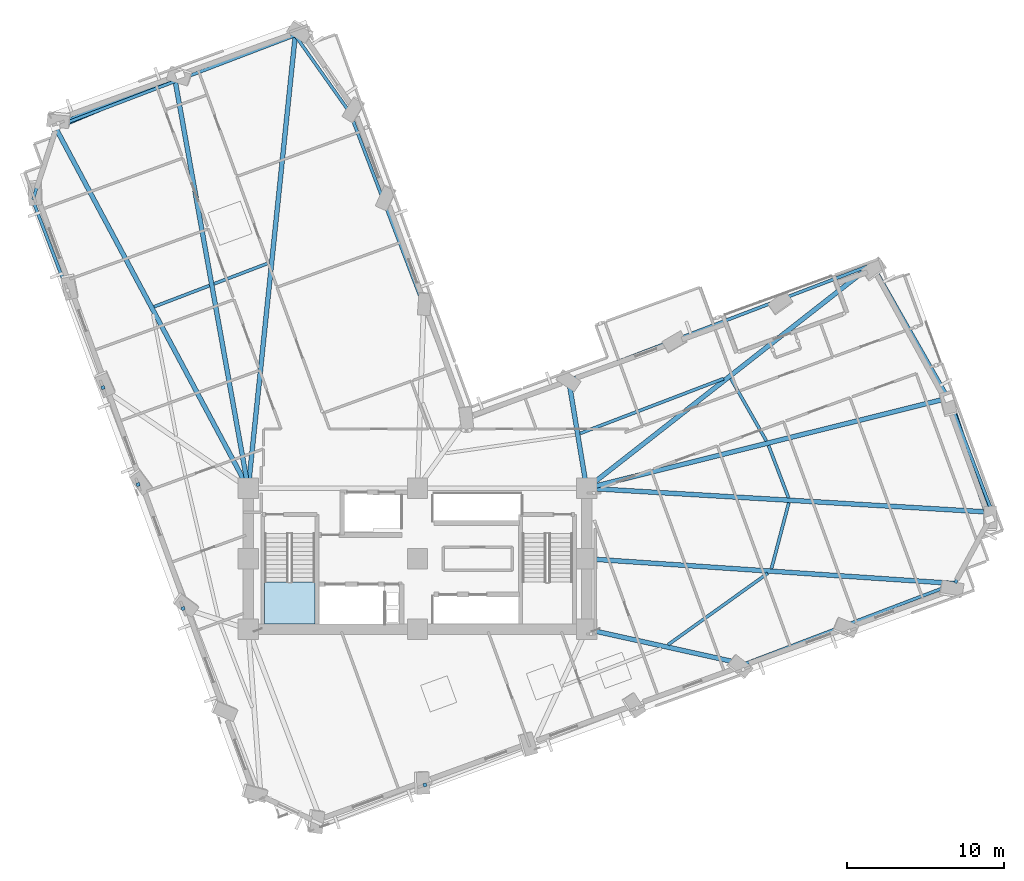
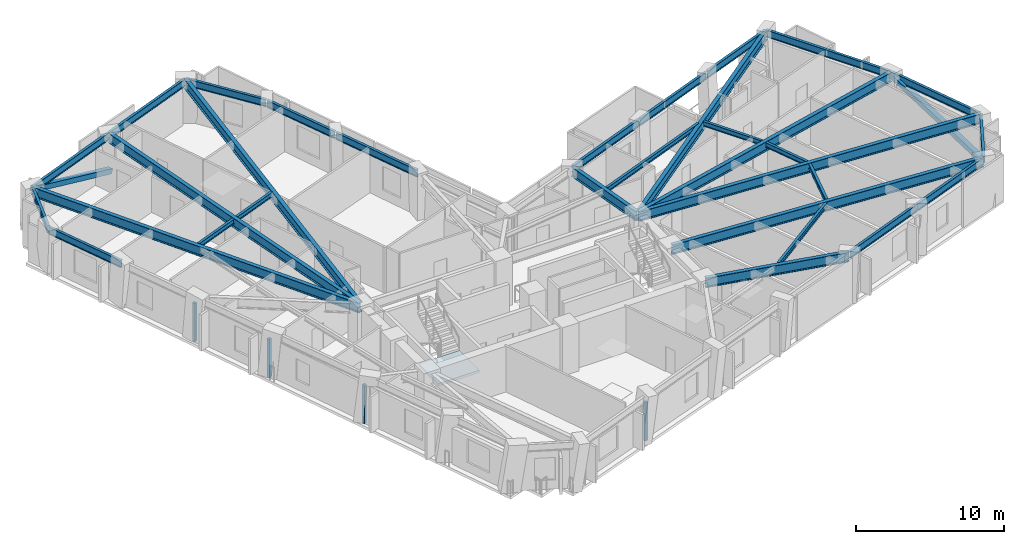
# One storey, part 2 of 17: 31 beams, 4 plates, 2 members, 1 slab, 1 element without a shape of its own.
"""IFC4 building model written with IfcOpenShell, lengths in metres."""

from ifc_helpers import new_model, si_unit, direction, frame, origin, origin_2d, place, context, subcontext, project, spatial, polyline, rectangle, hollow_rectangle, i_section, outline, extrude, material, layer, layer_set, material_profile, profile_set, type_object, element, aggregate, save


model = new_model("IFC4")

# Units and contexts
model_context = context("Model", 3, precision=1e-05, world=origin(), true_north=direction((0.0, 1.0)))
body_context = subcontext(model_context, "Body", "Model", "MODEL_VIEW")
ifc_project = project(units=[si_unit("LENGTHUNIT", "METRE"), si_unit("AREAUNIT", "SQUARE_METRE"), si_unit("VOLUMEUNIT", "CUBIC_METRE"), si_unit("PLANEANGLEUNIT", "RADIAN"), si_unit("MASSUNIT", "GRAM", prefix="KILO")], contexts=[model_context])

# Site, building, storey
site_placement = place(None, origin())
site = spatial("IfcSite", under=ifc_project, at=site_placement, CompositionType="ELEMENT")
building_placement = place(site_placement, origin())
building = spatial("IfcBuilding", under=site, at=building_placement, Name="Gaonmaruhae Medical Tower", CompositionType="ELEMENT")
storey_placement = place(building_placement, frame((0.0, 0.0, 108.39990234375)))
storey = spatial("IfcBuildingStorey", under=building, at=storey_placement, Name="L25", CompositionType="ELEMENT", Elevation=108.39990234375)

# Beams
ifc_material_1 = material(Name="Steel SM355", Category="steel")
ifc_material_profile_1 = material_profile(ifc_material_1, i_section(OverallWidth=0.199951171875, OverallDepth=0.39990234375, WebThickness=0.008056640625, FlangeThickness=0.012939453125, FilletRadius=0.012939453125, at=origin_2d()), Name="H-400x200x8x13")
ifc_profile_set_1 = profile_set([ifc_material_profile_1], Name="Steel SM355")
beam_type_1 = type_object("IfcBeamType", Name="FJ-01 Lower Zone Ward Floor Joist (H-400x200x8x13)", PredefinedType="JOIST", material=ifc_profile_set_1)
beam_1_placement = place(storey_placement, frame((40.792724609375, 6.812744140625, 3.580078125), z_axis=(0.81293579152, 0.5823533282, 0.0), x_axis=(-0.5823533282, 0.81293579152, 0.0)))
element("IfcBeam", 1, at=beam_1_placement, inside=storey, type_object=beam_type_1, Name="L25 Secondary Floor Joist FJ03", PredefinedType="JOIST", context=body_context, shape_type="SweptSolid", body=[
    extrude(i_section(OverallWidth=0.199951171875, OverallDepth=0.39990234375, WebThickness=0.008056640625, FlangeThickness=0.012939453125, FilletRadius=0.012939453125, at=origin_2d()), origin(), (0.0, 0.0, 1.0), 7.824462890625),
])
beam_2_placement = place(storey_placement, frame((47.390625, 11.663818359375, 3.580078125), z_axis=(0.254752293524, 0.967006343797, 0.0), x_axis=(-0.967006343797, 0.254752293524, 0.0)))
element("IfcBeam", 2, at=beam_2_placement, inside=storey, type_object=beam_type_1, Name="L25 Secondary Floor Joist FJ04", PredefinedType="JOIST", context=body_context, shape_type="SweptSolid", body=[
    extrude(i_section(OverallWidth=0.199951171875, OverallDepth=0.39990234375, WebThickness=0.008056640625, FlangeThickness=0.012939453125, FilletRadius=0.012939453125, at=origin_2d()), origin(), (0.0, 0.0, 1.0), 4.361328125),
])
beam_3_placement = place(storey_placement, frame((48.481201171875, 16.194580078125, 3.580078125), z_axis=(-0.356756875325, 0.934197266057, 0.0), x_axis=(-0.934197266057, -0.356756875325, 0.0)))
element("IfcBeam", 3, at=beam_3_placement, inside=storey, type_object=beam_type_1, Name="L25 Secondary Floor Joist FJ05", PredefinedType="JOIST", context=body_context, shape_type="SweptSolid", body=[
    extrude(i_section(OverallWidth=0.199951171875, OverallDepth=0.39990234375, WebThickness=0.008056640625, FlangeThickness=0.012939453125, FilletRadius=0.012939453125, at=origin_2d()), origin(), (0.0, 0.0, 1.0), 3.572265625),
])
beam_4_placement = place(storey_placement, frame((47.07080078125, 19.819091796875, 3.580078125), z_axis=(-0.495330752004, 0.868704464199, 0.0), x_axis=(-0.868704464199, -0.495330752004, 0.0)))
element("IfcBeam", 4, at=beam_4_placement, inside=storey, type_object=beam_type_1, Name="L25 Secondary Floor Joist FJ06", PredefinedType="JOIST", context=body_context, shape_type="SweptSolid", body=[
    extrude(i_section(OverallWidth=0.199951171875, OverallDepth=0.39990234375, WebThickness=0.008056640625, FlangeThickness=0.012939453125, FilletRadius=0.012939453125, at=origin_2d()), origin(), (0.0, 0.0, 1.0), 4.58837890625),
])
beam_5_placement = place(storey_placement, frame((44.345703125, 23.799072265625, 3.580078125), z_axis=(-0.934196230807, -0.356759586199, 0.0), x_axis=(0.356759586199, -0.934196230807, 0.0)))
element("IfcBeam", 5, at=beam_5_placement, inside=storey, type_object=beam_type_1, Name="L25 Secondary Floor Joist FJ07", PredefinedType="JOIST", context=body_context, shape_type="SweptSolid", body=[
    extrude(i_section(OverallWidth=0.199951171875, OverallDepth=0.39990234375, WebThickness=0.008056640625, FlangeThickness=0.012939453125, FilletRadius=0.012939453125, at=origin_2d()), origin(), (0.0, 0.0, 1.0), 9.8154296875),
])
beam_6_placement = place(storey_placement, frame((15.337646484375, 31.189697265625, 3.580078125), z_axis=(-0.934216422834, -0.356706707685, 0.0), x_axis=(0.356706707685, -0.934216422834, 0.0)))
element("IfcBeam", 6, at=beam_6_placement, inside=storey, type_object=beam_type_1, Name="L25 Secondary Floor Joist FJ11", PredefinedType="JOIST", context=body_context, shape_type="SweptSolid", body=[
    extrude(i_section(OverallWidth=0.199951171875, OverallDepth=0.39990234375, WebThickness=0.008056640625, FlangeThickness=0.012939453125, FilletRadius=0.012939453125, at=origin_2d()), origin(), (0.0, 0.0, 1.0), 3.76708984375),
])
beam_7_placement = place(storey_placement, frame((11.521728515625, 29.732666015625, 3.580078125), z_axis=(-0.934204312133, -0.356738424048, 0.0), x_axis=(0.356738424048, -0.934204312133, 0.0)))
element("IfcBeam", 7, at=beam_7_placement, inside=storey, type_object=beam_type_1, Name="L25 Secondary Floor Joist FJ12", PredefinedType="JOIST", context=body_context, shape_type="SweptSolid", body=[
    extrude(i_section(OverallWidth=0.199951171875, OverallDepth=0.39990234375, WebThickness=0.008056640625, FlangeThickness=0.012939453125, FilletRadius=0.012939453125, at=origin_2d()), origin(), (0.0, 0.0, 1.0), 3.783935546875),
])

# Members
ifc_material_2 = material(Name="Steel SM420", Category="steel")
ifc_material_profile_2 = material_profile(ifc_material_2, hollow_rectangle(XDim=0.39990234375, YDim=0.39990234375, WallThickness=0.01611328125, at=origin_2d()), Name="RHS-400x400x16")
ifc_profile_set_2 = profile_set([ifc_material_profile_2], Name="Steel SM420")
member_type = type_object("IfcMemberType", Name="PB-01 Perimeter Solid-Bay Tube Brace Lower (RHS-400x400x16)", PredefinedType="BRACE", material=ifc_profile_set_2)
member_1_placement = place(storey_placement, frame((61.322509765625, 14.809326171875, 0.25), z_axis=(-0.29740953933, 0.879207427167, 0.372212124909), x_axis=(-0.947271039765, -0.320433420888, 0.0)))
element("IfcMember", 8, at=member_1_placement, inside=storey, type_object=member_type, Name="L25 Perimeter Tube Solid-Bay Brace E01-E02", PredefinedType="BRACE", context=body_context, shape_type="SweptSolid", body=[
    extrude(hollow_rectangle(XDim=0.39990234375, YDim=0.39990234375, WallThickness=0.01611328125, at=origin_2d()), origin(), (0.0, 0.0, 1.0), 8.812255859375),
])
member_2_placement = place(storey_placement, frame((9.6416015625, 43.17822265625, 0.25), z_axis=(-0.862546422589, -0.360205437546, 0.355338868744), x_axis=(0.385354624241, -0.922768559053, 0.0)))
element("IfcMember", 9, at=member_2_placement, inside=storey, type_object=member_type, Name="L25 Perimeter Tube Solid-Bay Brace N02-N03", PredefinedType="BRACE", context=body_context, shape_type="SweptSolid", body=[
    extrude(hollow_rectangle(XDim=0.39990234375, YDim=0.39990234375, WallThickness=0.01611328125, at=origin_2d()), origin(), (0.0, 0.0, 1.0), 9.230712890625),
])

# Beams
ifc_material_profile_3 = material_profile(ifc_material_2, i_section(OverallWidth=0.300048828125, OverallDepth=0.800048828125, WebThickness=0.013916015625, FlangeThickness=0.02587890625, FilletRadius=0.01806640625, at=origin_2d()), Name="H-800x300x14x26")
ifc_profile_set_3 = profile_set([ifc_material_profile_3], Name="Steel SM420")
beam_type_2 = type_object("IfcBeamType", Name="PG-02 Zone 2 Radial Floor Girder (H-800x300x14x26)", PredefinedType="BEAM", material=ifc_profile_set_3)
beam_8_placement = place(storey_placement, frame((35.64892578125, 7.789306640625, 3.380126953125), z_axis=(0.976525255826, -0.215402935761, 0.0), x_axis=(0.215402935761, 0.976525255826, 0.0)))
element("IfcBeam", 10, at=beam_8_placement, inside=storey, type_object=beam_type_2, Name="L25 Radial Primary Girder S05", PredefinedType="BEAM", context=body_context, shape_type="SweptSolid", body=[
    extrude(i_section(OverallWidth=0.300048828125, OverallDepth=0.800048828125, WebThickness=0.013916015625, FlangeThickness=0.02587890625, FilletRadius=0.01806640625, at=origin_2d()), origin(), (0.0, 0.0, 1.0), 10.189453125),
])
beam_9_placement = place(storey_placement, frame((35.64990234375, 12.296630859375, 3.380126953125), z_axis=(0.99774903898, -0.067058595386, 0.0), x_axis=(0.067058595386, 0.99774903898, 0.0)))
element("IfcBeam", 11, at=beam_9_placement, inside=storey, type_object=beam_type_2, Name="L25 Radial Primary Girder S07", PredefinedType="BEAM", context=body_context, shape_type="SweptSolid", body=[
    extrude(i_section(OverallWidth=0.300048828125, OverallDepth=0.800048828125, WebThickness=0.013916015625, FlangeThickness=0.02587890625, FilletRadius=0.01806640625, at=origin_2d()), origin(), (0.0, 0.0, 1.0), 23.453369140625),
])
beam_10_placement = place(storey_placement, frame((35.64990234375, 16.797119140625, 3.380126953125), z_axis=(0.998258005369, -0.058999616236, 0.0), x_axis=(0.058999616236, 0.998258005369, 0.0)))
element("IfcBeam", 12, at=beam_10_placement, inside=storey, type_object=beam_type_2, Name="L25 Radial Primary Girder E01", PredefinedType="BEAM", context=body_context, shape_type="SweptSolid", body=[
    extrude(i_section(OverallWidth=0.300048828125, OverallDepth=0.800048828125, WebThickness=0.013916015625, FlangeThickness=0.02587890625, FilletRadius=0.01806640625, at=origin_2d()), origin(), (0.0, 0.0, 1.0), 25.829345703125),
])
beam_11_placement = place(storey_placement, frame((35.6484375, 16.81201171875, 3.380126953125), z_axis=(0.970320932127, 0.241820778006, 0.0), x_axis=(-0.241820778006, 0.970320932127, 0.0)))
element("IfcBeam", 13, at=beam_11_placement, inside=storey, type_object=beam_type_2, Name="L25 Radial Primary Girder E02", PredefinedType="BEAM", context=body_context, shape_type="SweptSolid", body=[
    extrude(i_section(OverallWidth=0.300048828125, OverallDepth=0.800048828125, WebThickness=0.013916015625, FlangeThickness=0.02587890625, FilletRadius=0.01806640625, at=origin_2d()), origin(), (0.0, 0.0, 1.0), 23.708251953125),
])
beam_12_placement = place(storey_placement, frame((35.639404296875, 16.830810546875, 3.360107421875), z_axis=(0.787313336477, 0.616553087906, 0.0), x_axis=(-0.616553087906, 0.787313336477, 0.0)))
element("IfcBeam", 14, at=beam_12_placement, inside=storey, type_object=beam_type_2, Name="L25 Radial Primary Girder E03", PredefinedType="BEAM", context=body_context, shape_type="SweptSolid", body=[
    extrude(i_section(OverallWidth=0.300048828125, OverallDepth=0.800048828125, WebThickness=0.013916015625, FlangeThickness=0.02587890625, FilletRadius=0.01806640625, at=origin_2d()), origin(), (0.0, 0.0, 1.0), 23.067138671875),
])
beam_13_placement = place(storey_placement, frame((35.591796875, 16.849365234375, 3.380126953125), z_axis=(-0.164111089681, 0.98644186359, 0.0), x_axis=(-0.98644186359, -0.164111089681, 0.0)))
element("IfcBeam", 15, at=beam_13_placement, inside=storey, type_object=beam_type_2, Name="L25 Radial Primary Girder EN03", PredefinedType="BEAM", context=body_context, shape_type="SweptSolid", body=[
    extrude(i_section(OverallWidth=0.300048828125, OverallDepth=0.800048828125, WebThickness=0.013916015625, FlangeThickness=0.02587890625, FilletRadius=0.01806640625, at=origin_2d()), origin(), (0.0, 0.0, 1.0), 6.8759765625),
])
beam_14_placement = place(storey_placement, frame((14.005126953125, 16.849853515625, 3.380126953125), z_axis=(0.103265873252, 0.994653788723, 0.0), x_axis=(-0.994653788723, 0.103265873252, 0.0)))
element("IfcBeam", 16, at=beam_14_placement, inside=storey, type_object=beam_type_2, Name="L25 Radial Primary Girder N01", PredefinedType="BEAM", context=body_context, shape_type="SweptSolid", body=[
    extrude(i_section(OverallWidth=0.300048828125, OverallDepth=0.800048828125, WebThickness=0.013916015625, FlangeThickness=0.02587890625, FilletRadius=0.01806640625, at=origin_2d()), origin(), (0.0, 0.0, 1.0), 28.958984375),
])
beam_15_placement = place(storey_placement, frame((13.9912109375, 16.84912109375, 3.380126953125), z_axis=(-0.176551271484, 0.984291444917, 0.0), x_axis=(-0.984291444917, -0.176551271484, 0.0)))
element("IfcBeam", 17, at=beam_15_placement, inside=storey, type_object=beam_type_2, Name="L25 Radial Primary Girder N02", PredefinedType="BEAM", context=body_context, shape_type="SweptSolid", body=[
    extrude(i_section(OverallWidth=0.300048828125, OverallDepth=0.800048828125, WebThickness=0.013916015625, FlangeThickness=0.02587890625, FilletRadius=0.01806640625, at=origin_2d()), origin(), (0.0, 0.0, 1.0), 26.293212890625),
])
beam_16_placement = place(storey_placement, frame((13.976318359375, 16.843994140625, 3.380126953125), z_axis=(-0.471332634214, 0.881955524913, 0.0), x_axis=(-0.881955524913, -0.471332634214, 0.0)))
element("IfcBeam", 18, at=beam_16_placement, inside=storey, type_object=beam_type_2, Name="L25 Radial Primary Girder N03", PredefinedType="BEAM", context=body_context, shape_type="SweptSolid", body=[
    extrude(i_section(OverallWidth=0.300048828125, OverallDepth=0.800048828125, WebThickness=0.013916015625, FlangeThickness=0.02587890625, FilletRadius=0.01806640625, at=origin_2d()), origin(), (0.0, 0.0, 1.0), 26.038818359375),
])
ifc_material_profile_4 = material_profile(ifc_material_1, i_section(OverallWidth=0.199951171875, OverallDepth=0.60009765625, WebThickness=0.010986328125, FlangeThickness=0.01708984375, FilletRadius=0.012939453125, at=origin_2d()), Name="H-600x200x11x17")
ifc_profile_set_4 = profile_set([ifc_material_profile_4], Name="Steel SM355")
beam_type_3 = type_object("IfcBeamType", Name="SP-01 Lower Perimeter Spandrel Beam (H-600x200x11x17)", PredefinedType="SPANDREL", material=ifc_profile_set_4)
beam_17_placement = place(storey_placement, frame((45.685302734375, 5.597900390625, 3.47998046875), z_axis=(0.934202803892, 0.356742373709, 0.0), x_axis=(-0.356742373709, 0.934202803892, 0.0)))
element("IfcBeam", 19, at=beam_17_placement, inside=storey, type_object=beam_type_3, Name="L25 Perimeter Spandrel Beam S05-S06", PredefinedType="SPANDREL", context=body_context, shape_type="SweptSolid", body=[
    extrude(i_section(OverallWidth=0.199951171875, OverallDepth=0.60009765625, WebThickness=0.010986328125, FlangeThickness=0.01708984375, FilletRadius=0.012939453125, at=origin_2d()), origin(), (0.0, 0.0, 1.0), 7.1201171875),
])
beam_18_placement = place(storey_placement, frame((52.41162109375, 8.166259765625, 3.47998046875), z_axis=(0.934198439894, 0.356753801522, 0.0), x_axis=(-0.356753801522, 0.934198439894, 0.0)))
element("IfcBeam", 20, at=beam_18_placement, inside=storey, type_object=beam_type_3, Name="L25 Perimeter Spandrel Beam S06-S07", PredefinedType="SPANDREL", context=body_context, shape_type="SweptSolid", body=[
    extrude(i_section(OverallWidth=0.199951171875, OverallDepth=0.60009765625, WebThickness=0.010986328125, FlangeThickness=0.01708984375, FilletRadius=0.012939453125, at=origin_2d()), origin(), (0.0, 0.0, 1.0), 7.119873046875),
])
beam_19_placement = place(storey_placement, frame((59.119140625, 10.756103515625, 3.47998046875), z_axis=(0.464071946872, 0.885797509663, 0.0), x_axis=(-0.885797509663, 0.464071946872, 0.0)))
element("IfcBeam", 21, at=beam_19_placement, inside=storey, type_object=beam_type_3, Name="L25 Perimeter Spandrel Beam S07-E01", PredefinedType="SPANDREL", context=body_context, shape_type="SweptSolid", body=[
    extrude(i_section(OverallWidth=0.199951171875, OverallDepth=0.60009765625, WebThickness=0.010986328125, FlangeThickness=0.01708984375, FilletRadius=0.012939453125, at=origin_2d()), origin(), (0.0, 0.0, 1.0), 5.05615234375),
])
beam_20_placement = place(storey_placement, frame((61.469970703125, 15.3076171875, 3.47998046875), z_axis=(-0.3567211368, 0.934210913317, 0.0), x_axis=(-0.934210913317, -0.3567211368, 0.0)))
element("IfcBeam", 22, at=beam_20_placement, inside=storey, type_object=beam_type_3, Name="L25 Perimeter Spandrel Beam E01-E02", PredefinedType="SPANDREL", context=body_context, shape_type="SweptSolid", body=[
    extrude(i_section(OverallWidth=0.199951171875, OverallDepth=0.60009765625, WebThickness=0.010986328125, FlangeThickness=0.01708984375, FilletRadius=0.012939453125, at=origin_2d()), origin(), (0.0, 0.0, 1.0), 7.719970703125),
])
beam_21_placement = place(storey_placement, frame((58.681884765625, 22.591796875, 3.47998046875), z_axis=(-0.495309604884, 0.868716521836, 0.0), x_axis=(-0.868716521836, -0.495309604884, 0.0)))
element("IfcBeam", 23, at=beam_21_placement, inside=storey, type_object=beam_type_3, Name="L25 Perimeter Spandrel Beam E02-E03", PredefinedType="SPANDREL", context=body_context, shape_type="SweptSolid", body=[
    extrude(i_section(OverallWidth=0.199951171875, OverallDepth=0.60009765625, WebThickness=0.010986328125, FlangeThickness=0.01708984375, FilletRadius=0.012939453125, at=origin_2d()), origin(), (0.0, 0.0, 1.0), 9.7353515625),
])
beam_22_placement = place(storey_placement, frame((53.802734375, 31.069580078125, 3.460205078125), z_axis=(-0.934199983203, -0.356749760174, 0.0), x_axis=(0.356749760174, -0.934199983203, 0.0)))
element("IfcBeam", 24, at=beam_22_placement, inside=storey, type_object=beam_type_3, Name="L25 Perimeter Spandrel Beam E03-EN01", PredefinedType="SPANDREL", context=body_context, shape_type="SweptSolid", body=[
    extrude(i_section(OverallWidth=0.199951171875, OverallDepth=0.60009765625, WebThickness=0.010986328125, FlangeThickness=0.01708984375, FilletRadius=0.012939453125, at=origin_2d()), origin(), (0.0, 0.0, 1.0), 6.27001953125),
])
beam_23_placement = place(storey_placement, frame((47.870361328125, 28.80419921875, 3.460205078125), z_axis=(-0.934209867706, -0.356723875119, 0.0), x_axis=(0.356723875119, -0.934209867706, 0.0)))
element("IfcBeam", 25, at=beam_23_placement, inside=storey, type_object=beam_type_3, Name="L25 Perimeter Spandrel Beam EN01-EN02", PredefinedType="SPANDREL", context=body_context, shape_type="SweptSolid", body=[
    extrude(i_section(OverallWidth=0.199951171875, OverallDepth=0.60009765625, WebThickness=0.010986328125, FlangeThickness=0.01708984375, FilletRadius=0.012939453125, at=origin_2d()), origin(), (0.0, 0.0, 1.0), 7.119873046875),
])
beam_24_placement = place(storey_placement, frame((41.144287109375, 26.23583984375, 3.47998046875), z_axis=(-0.934202803892, -0.356742373709, 0.0), x_axis=(0.356742373709, -0.934202803892, 0.0)))
element("IfcBeam", 26, at=beam_24_placement, inside=storey, type_object=beam_type_3, Name="L25 Perimeter Spandrel Beam EN02-EN03", PredefinedType="SPANDREL", context=body_context, shape_type="SweptSolid", body=[
    extrude(i_section(OverallWidth=0.199951171875, OverallDepth=0.60009765625, WebThickness=0.010986328125, FlangeThickness=0.01708984375, FilletRadius=0.012939453125, at=origin_2d()), origin(), (0.0, 0.0, 1.0), 7.1201171875),
])
beam_25_placement = place(storey_placement, frame((25.18359375, 28.479736328125, 3.47998046875), z_axis=(-0.356753801522, 0.934198439894, 0.0), x_axis=(-0.934198439894, -0.356753801522, 0.0)))
element("IfcBeam", 27, at=beam_25_placement, inside=storey, type_object=beam_type_3, Name="L25 Perimeter Spandrel Beam NE01-NE02", PredefinedType="SPANDREL", context=body_context, shape_type="SweptSolid", body=[
    extrude(i_section(OverallWidth=0.199951171875, OverallDepth=0.60009765625, WebThickness=0.010986328125, FlangeThickness=0.01708984375, FilletRadius=0.012939453125, at=origin_2d()), origin(), (0.0, 0.0, 1.0), 7.119873046875),
])
beam_26_placement = place(storey_placement, frame((22.614990234375, 35.205810546875, 3.47998046875), z_axis=(-0.356725778827, 0.934209140782, 0.0), x_axis=(-0.934209140782, -0.356725778827, 0.0)))
element("IfcBeam", 28, at=beam_26_placement, inside=storey, type_object=beam_type_3, Name="L25 Perimeter Spandrel Beam NE02-NE03", PredefinedType="SPANDREL", context=body_context, shape_type="SweptSolid", body=[
    extrude(i_section(OverallWidth=0.199951171875, OverallDepth=0.60009765625, WebThickness=0.010986328125, FlangeThickness=0.01708984375, FilletRadius=0.012939453125, at=origin_2d()), origin(), (0.0, 0.0, 1.0), 5.919921875),
])
beam_27_placement = place(storey_placement, frame((20.4658203125, 40.806396484375, 3.47998046875), z_axis=(-0.577601243921, 0.816319057122, 0.0), x_axis=(-0.816319057122, -0.577601243921, 0.0)))
element("IfcBeam", 29, at=beam_27_placement, inside=storey, type_object=beam_type_3, Name="L25 Perimeter Spandrel Beam NE03-N01", PredefinedType="SPANDREL", context=body_context, shape_type="SweptSolid", body=[
    extrude(i_section(OverallWidth=0.199951171875, OverallDepth=0.60009765625, WebThickness=0.010986328125, FlangeThickness=0.01708984375, FilletRadius=0.012939453125, at=origin_2d()), origin(), (0.0, 0.0, 1.0), 5.95947265625),
])
beam_28_placement = place(storey_placement, frame((16.96337890625, 45.689453125, 3.47998046875), z_axis=(-0.93420690931, -0.356731622649, 0.0), x_axis=(0.356731622649, -0.93420690931, 0.0)))
element("IfcBeam", 30, at=beam_28_placement, inside=storey, type_object=beam_type_3, Name="L25 Perimeter Spandrel Beam N01-N02", PredefinedType="SPANDREL", context=body_context, shape_type="SweptSolid", body=[
    extrude(i_section(OverallWidth=0.199951171875, OverallDepth=0.60009765625, WebThickness=0.010986328125, FlangeThickness=0.01708984375, FilletRadius=0.012939453125, at=origin_2d()), origin(), (0.0, 0.0, 1.0), 8.1201171875),
])
beam_29_placement = place(storey_placement, frame((9.302734375, 42.76416015625, 3.47998046875), z_axis=(-0.934203083042, -0.356741642699, 0.0), x_axis=(0.356741642699, -0.934203083042, 0.0)))
element("IfcBeam", 31, at=beam_29_placement, inside=storey, type_object=beam_type_3, Name="L25 Perimeter Spandrel Beam N02-N03", PredefinedType="SPANDREL", context=body_context, shape_type="SweptSolid", body=[
    extrude(i_section(OverallWidth=0.199951171875, OverallDepth=0.60009765625, WebThickness=0.010986328125, FlangeThickness=0.01708984375, FilletRadius=0.012939453125, at=origin_2d()), origin(), (0.0, 0.0, 1.0), 8.119873046875),
])
beam_30_placement = place(storey_placement, frame((1.66796875, 39.81494140625, 3.47998046875), z_axis=(-0.29282054973, -0.956167415078, 0.0), x_axis=(0.956167415078, -0.29282054973, 0.0)))
element("IfcBeam", 32, at=beam_30_placement, inside=storey, type_object=beam_type_3, Name="L25 Perimeter Spandrel Beam N03-W01", PredefinedType="SPANDREL", context=body_context, shape_type="SweptSolid", body=[
    extrude(i_section(OverallWidth=0.199951171875, OverallDepth=0.60009765625, WebThickness=0.010986328125, FlangeThickness=0.01708984375, FilletRadius=0.012939453125, at=origin_2d()), origin(), (0.0, 0.0, 1.0), 4.80078125),
])
beam_31_placement = place(storey_placement, frame((0.264892578125, 35.14892578125, 3.47998046875), z_axis=(0.356718116917, -0.93421206643, 0.0), x_axis=(0.93421206643, 0.356718116917, 0.0)))
element("IfcBeam", 33, at=beam_31_placement, inside=storey, type_object=beam_type_3, Name="L25 Perimeter Spandrel Beam W01-W02", PredefinedType="SPANDREL", context=body_context, shape_type="SweptSolid", body=[
    extrude(i_section(OverallWidth=0.199951171875, OverallDepth=0.60009765625, WebThickness=0.010986328125, FlangeThickness=0.01708984375, FilletRadius=0.012939453125, at=origin_2d()), origin(), (0.0, 0.0, 1.0), 6.31982421875),
])

# Plates
ifc_material_3 = material(Name="Anodised aluminium 6063-T6", Category="aluminium")
ifc_layer_1 = layer(ifc_material_3, 0.011962890625)
ifc_layer_set_1 = layer_set([ifc_layer_1], Name="Anodised aluminium 6063-T6")
plate_type = type_object("IfcPlateType", Name="PP-01 Interior Partition Corner Stiffener Plate", PredefinedType="SHEET", material=ifc_layer_set_1)
for number, where, z_axis, x_axis, name in (
    (34, (25.277099609375, -2.136474609375, 0.0), (0.0, 0.0, 1.0), (-0.939823877818, -0.341659302058, 0.0), "L25 Partition Corner Stiffener Plate PLT-L25-JGP-PW007"),
    (35, (9.842529296875, 9.12646484375, 0.0), (0.0, 0.0, 1.0), (-0.341659302058, 0.939823877818, 0.0), "L25 Partition Corner Stiffener Plate PLT-L25-JGP-PW033"),
    (36, (6.970458984375, 17.03759765625, 0.0), (0.0, 0.0, 1.0), (-0.341282005055, 0.939960952926, 0.0), "L25 Partition Corner Stiffener Plate PLT-L25-JGP-PW042"),
    (37, (4.724609375, 23.22509765625, 0.0), (0.0, 0.0, 1.0), (-0.340839021015, 0.940121673909, 0.0), "L25 Partition Corner Stiffener Plate PLT-L25-JGP-PW048"),
):
    element("IfcPlate", number, at=place(storey_placement, frame(where, z_axis=z_axis, x_axis=x_axis)), inside=storey, type_object=plate_type, Name=name, PredefinedType="SHEET", context=body_context, shape_type="SweptSolid", body=[
        extrude(rectangle(XDim=0.219970703125, YDim=0.219970703125, at=origin_2d()), origin(), (0.0, 0.0, 1.0), 3.1650390625),
    ])

# Stair, slab
ifc_material_4 = material(Name="Concrete C40/50", Category="concrete")
stair_type = type_object("IfcStairType", Name="ST-T1 Primary Core Escape Dogleg Stair", PredefinedType="TWO_QUARTER_TURN_STAIR", material=ifc_material_4)
stair_placement = place(storey_placement, origin())
stair = element("IfcStair", 38, at=stair_placement, inside=storey, type_object=stair_type, Name="L25 Protected Escape Stair ST-01", PredefinedType="TWO_QUARTER_TURN_STAIR")
ifc_layer_2 = layer(ifc_material_4, 0.199951171875)
ifc_layer_set_2 = layer_set([ifc_layer_2], Name="Concrete C40/50")
slab_type = type_object("IfcSlabType", Name="SL-200 Stair & Ramp Intermediate Concrete Landing", PredefinedType="LANDING", material=ifc_layer_set_2)
slab_placement = place(storey_placement, frame((0.0, 0.0, 1.800048828125)))
slab = element("IfcSlab", 39, at=slab_placement, type_object=slab_type, Name="ST-01 landing 1", PredefinedType="LANDING", context=body_context, shape_type="SweptSolid", body=[
    extrude(outline(polyline([(15.050048828125, 10.820068359375), (15.050048828125, 8.12890625), (18.25, 8.12890625), (18.25, 10.820068359375), (15.050048828125, 10.820068359375)])), origin(), (0.0, 0.0, 1.0), 0.199951171875),
])
aggregate(stair, [slab])

save(model, "model.ifc")
